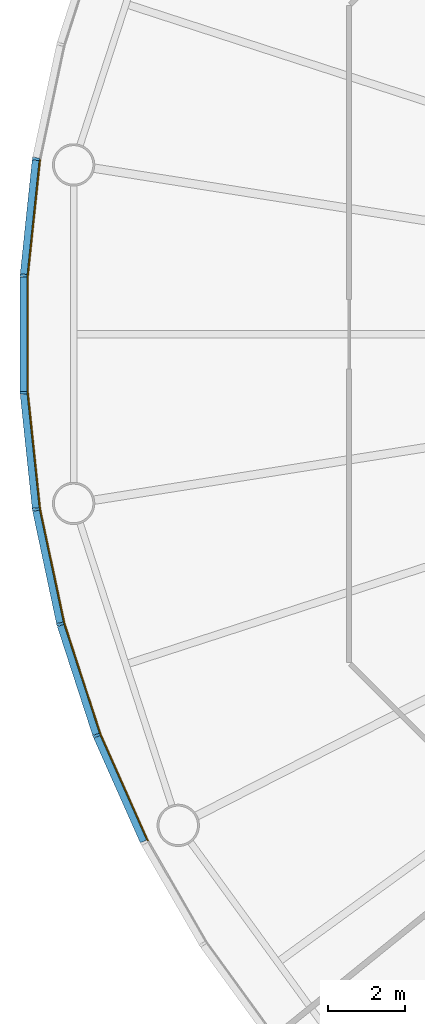
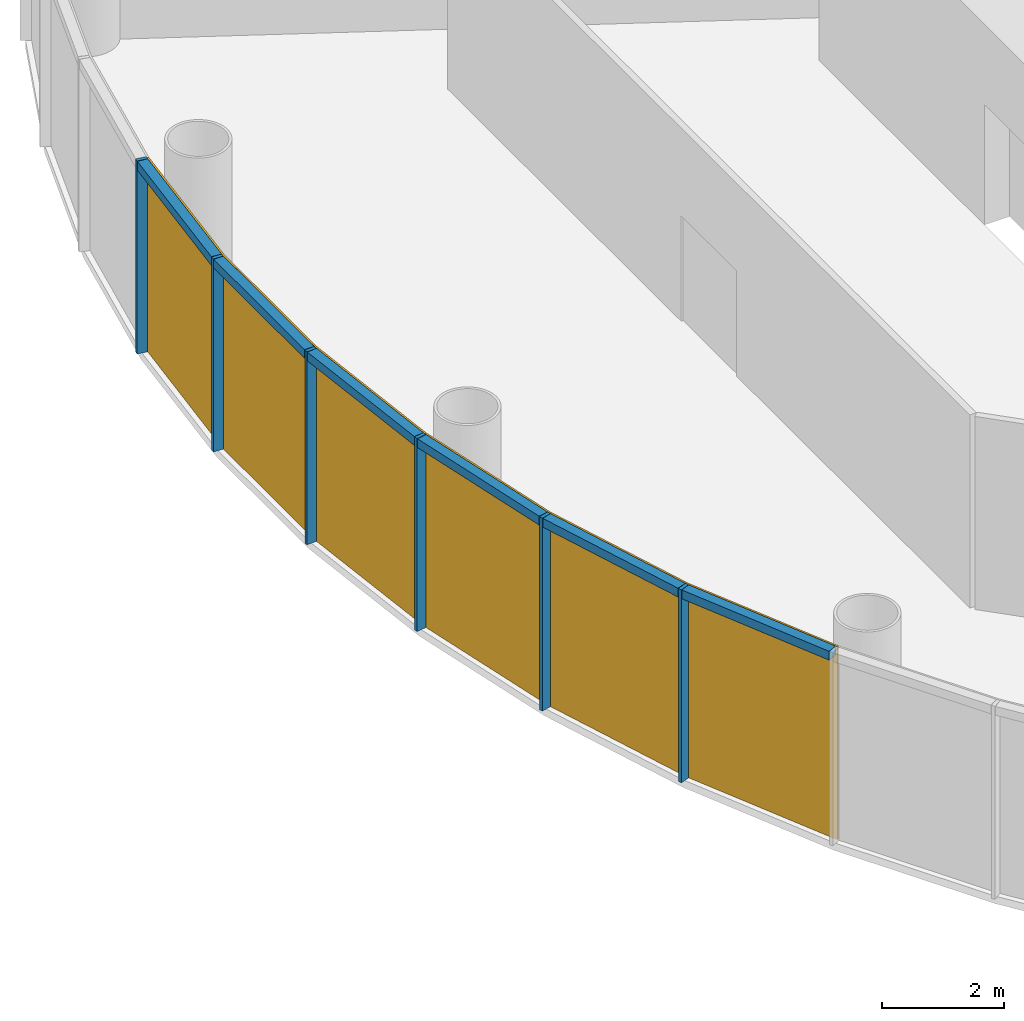
# One storey, part 7 of 12: 12 members, 2 curtain walls.
"""IFC4 building model written with IfcOpenShell, lengths in metres."""

import ifcopenshell
import ifcopenshell.guid

model = None  # the IFC model being written
_history = None  # IfcOwnerHistory: only IFC2X3 demands one
_inside = {}  # id of a spatial element -> (the spatial element, [elements in it])
_under = {}  # id of a project, library or spatial element -> (it, [spatial elements below it])
_declared = {}  # id of a project -> (the project, [libraries it declares])
_typed = {}  # id of a type object -> (the type object, [elements of that type])
_made_of = {}  # id of a material, layer set ... -> (it, [elements and type objects made of it])


def new_model(schema):
    """Start an empty IFC model of exactly this schema.

    Asked for "IFC4X3", IfcOpenShell would pick the latest addendum, in which some entities
    have other attributes; the version numbers below select the first issue.
    IFC2X3 requires an IfcOwnerHistory on every rooted entity: one is made here for all.
    """
    global model, _history
    if schema == "IFC4X3":
        model = ifcopenshell.file(schema_version=(4, 3, 0, 0))
    else:
        model = ifcopenshell.file(schema=schema)
    _inside.clear()
    _under.clear()
    _declared.clear()
    _typed.clear()
    _made_of.clear()
    _history = None
    if model.schema == "IFC2X3":
        org = make("IfcOrganization", Name="unknown")
        user = make(
            "IfcPersonAndOrganization",
            ThePerson=make("IfcPerson", FamilyName="unknown"),
            TheOrganization=org,
        )
        app = make(
            "IfcApplication",
            ApplicationDeveloper=org,
            Version="unknown",
            ApplicationFullName="unknown",
            ApplicationIdentifier="unknown",
        )
        _history = make(
            "IfcOwnerHistory",
            OwningUser=user,
            OwningApplication=app,
            ChangeAction="ADDED",
            CreationDate=0,
        )
    return model


def make(cls, **values):
    """One entity of the class cls with the attributes given. An attribute that is None is left unset."""
    return model.create_entity(
        cls, **{name: value for name, value in values.items() if value is not None}
    )


def rooted(cls, **values):
    """An entity with a GlobalId (a new one), such as an element, a storey or a relation."""
    return make(cls, GlobalId=ifcopenshell.guid.new(), OwnerHistory=_history, **values)


def si_unit(unit_type, name, prefix=None):
    """IfcSIUnit, for example si_unit("LENGTHUNIT", "METRE", prefix="MILLI")."""
    return make("IfcSIUnit", UnitType=unit_type, Prefix=prefix, Name=name)


def assignment(units):
    """IfcUnitAssignment: the units of a project."""
    return None if units is None else make("IfcUnitAssignment", Units=units)


def point(xyz):
    """IfcCartesianPoint."""
    return None if xyz is None else make("IfcCartesianPoint", Coordinates=xyz)


def direction(xyz):
    """IfcDirection."""
    return None if xyz is None else make("IfcDirection", DirectionRatios=xyz)


def frame(location, z_axis=None, x_axis=None):
    """IfcAxis2Placement3D, a coordinate frame: its origin and axes. An axis left out is left unset."""
    return make(
        "IfcAxis2Placement3D",
        Location=point(location),
        Axis=direction(z_axis),
        RefDirection=direction(x_axis),
    )


def frame_2d(location, x_axis=None):
    """IfcAxis2Placement2D, a coordinate frame in the plane: its origin and x axis."""
    return make(
        "IfcAxis2Placement2D", Location=point(location), RefDirection=direction(x_axis)
    )


def origin():
    """The frame at (0, 0, 0) with its axes left unset."""
    return frame((0.0, 0.0, 0.0))


def origin_2d():
    """The frame at (0, 0) in the plane with its x axis left unset."""
    return frame_2d((0.0, 0.0))


def place(relative_to, where):
    """IfcLocalPlacement: puts the frame where relative to a parent placement (None: the world)."""
    return make(
        "IfcLocalPlacement", PlacementRelTo=relative_to, RelativePlacement=where
    )


def context(
    kind, dimensions, precision=None, world=None, true_north=None, identifier=None
):
    """IfcGeometricRepresentationContext, for example the 3D "Model" context."""
    return make(
        "IfcGeometricRepresentationContext",
        ContextIdentifier=identifier,
        ContextType=kind,
        CoordinateSpaceDimension=dimensions,
        Precision=precision,
        WorldCoordinateSystem=world,
        TrueNorth=true_north,
    )


def subcontext(parent, identifier, kind, view, scale=None):
    """IfcGeometricRepresentationSubContext, for example "Body" below "Model"."""
    return make(
        "IfcGeometricRepresentationSubContext",
        ContextIdentifier=identifier,
        ContextType=kind,
        ParentContext=parent,
        TargetScale=scale,
        TargetView=view,
    )


def project(units=None, contexts=None):
    """IfcProject with its units and contexts."""
    return rooted(
        "IfcProject",
        Name="project",
        RepresentationContexts=contexts,
        UnitsInContext=assignment(units),
    )


def spatial(cls, under=None, at=None, **own):
    """A site, building, storey or space (cls), placed at a placement, below another one or the project."""
    s = rooted(cls, ObjectPlacement=at, **own)
    if under is not None:
        _under.setdefault(under.id(), (under, []))[1].append(s)
    return s


def polyline(points):
    """IfcPolyline through the points."""
    return make("IfcPolyline", Points=[point(p) for p in points])


def profile(cls, at=None, kind="AREA", **sizes):
    """A parametric profile (cls). Its sizes go by their IFC names, for example OverallWidth=200.0."""
    return make(cls, ProfileType=kind, Position=at, **sizes)


def rectangle(**sizes):
    """IfcRectangleProfileDef."""
    return profile("IfcRectangleProfileDef", **sizes)


def outline(outer, holes=None, kind="AREA"):
    """IfcArbitraryClosedProfileDef: a profile drawn as a closed curve; with holes, ...WithVoids."""
    if holes is None:
        return make("IfcArbitraryClosedProfileDef", ProfileType=kind, OuterCurve=outer)
    return make(
        "IfcArbitraryProfileDefWithVoids",
        ProfileType=kind,
        OuterCurve=outer,
        InnerCurves=holes,
    )


def extrude(swept, where, along, depth):
    """IfcExtrudedAreaSolid: the profile swept, set in the frame where, extruded along a direction by depth."""
    return make(
        "IfcExtrudedAreaSolid",
        SweptArea=swept,
        Position=where,
        ExtrudedDirection=direction(along),
        Depth=depth,
    )


def shape(context_of_items, identifier, shape_type, items):
    """IfcShapeRepresentation: the items that make up one representation, for example the "Body"."""
    return make(
        "IfcShapeRepresentation",
        ContextOfItems=context_of_items,
        RepresentationIdentifier=identifier,
        RepresentationType=shape_type,
        Items=items,
    )


def material(Name=None, Category=None):
    """IfcMaterial."""
    return make("IfcMaterial", Name=Name, Category=Category)


def layer(
    of_material, thickness, ventilated=None, Name=None, Category=None, Priority=None
):
    """IfcMaterialLayer: one layer of a wall or slab, of a material (None: an air gap)."""
    return make(
        "IfcMaterialLayer",
        Material=of_material,
        LayerThickness=thickness,
        IsVentilated=ventilated,
        Name=Name,
        Category=Category,
        Priority=Priority,
    )


def layer_set(layers, Name=None):
    """IfcMaterialLayerSet."""
    return make("IfcMaterialLayerSet", MaterialLayers=layers, LayerSetName=Name)


def material_profile(
    of_material, cross_section, Name=None, Category=None, Priority=None
):
    """IfcMaterialProfile: a cross section and its material."""
    return make(
        "IfcMaterialProfile",
        Name=Name,
        Material=of_material,
        Profile=cross_section,
        Priority=Priority,
        Category=Category,
    )


def profile_set(profiles, Name=None, composite=None):
    """IfcMaterialProfileSet."""
    return make(
        "IfcMaterialProfileSet",
        Name=Name,
        MaterialProfiles=profiles,
        CompositeProfile=composite,
    )


def made_of(thing, what):
    """Note that an element or type object is made of a material, layer set ...; save() writes the relation."""
    if what is not None:
        _made_of.setdefault(what.id(), (what, []))[1].append(thing)
    return thing


def type_object(cls, material=None, **own):
    """A type object (cls), such as IfcWallType, which elements share."""
    return made_of(rooted(cls, **own), material)


def element(
    cls,
    number,
    at=None,
    inside=None,
    cuts=None,
    type_object=None,
    material=None,
    context=None,
    identifier="Body",
    shape_type=None,
    held_by="IfcProductDefinitionShape",
    body=None,
    shapes=None,
    **own,
):
    """One element of the class cls, such as IfcWall. Its Tag is "e" and its number.

    at: its placement. inside: the storey or other place that contains it. cuts: it is an
    opening in that element (IfcRelVoidsElement). A single representation is given by context,
    identifier, shape_type and body (its items); several are given by shapes. held_by: the class
    of the entity that holds the representations. save() writes the other relations.
    """
    e = rooted(cls, Tag="e%d" % number, ObjectPlacement=at, **own)
    if body is not None:
        shapes = [shape(context, identifier, shape_type, body)]
    if shapes is not None:
        e.Representation = make(held_by, Representations=shapes)
    if inside is not None:
        _inside.setdefault(inside.id(), (inside, []))[1].append(e)
    if cuts is not None:
        rooted(
            "IfcRelVoidsElement", RelatingBuildingElement=cuts, RelatedOpeningElement=e
        )
    if type_object is not None:
        _typed.setdefault(type_object.id(), (type_object, []))[1].append(e)
    return made_of(e, material)


def aggregate(whole, parts):
    """IfcRelAggregates: a whole, such as a stair, and the parts it consists of."""
    return rooted("IfcRelAggregates", RelatingObject=whole, RelatedObjects=parts)


def save(model, path):
    """Write the relations noted so far, then the file.

    IfcRelAggregates (storeys below a building ...), IfcRelContainedInSpatialStructure (elements
    in a storey), IfcRelDefinesByType, IfcRelAssociatesMaterial and IfcRelDeclares: one each for
    every whole, place, type object, material and project.
    """
    for whole, parts in _under.values():
        aggregate(whole, parts)
    for where, things in _inside.values():
        rooted(
            "IfcRelContainedInSpatialStructure",
            RelatedElements=things,
            RelatingStructure=where,
        )
    for kind, things in _typed.values():
        rooted("IfcRelDefinesByType", RelatedObjects=things, RelatingType=kind)
    for what, things in _made_of.values():
        rooted("IfcRelAssociatesMaterial", RelatedObjects=things, RelatingMaterial=what)
    for by, libraries in _declared.values():
        rooted("IfcRelDeclares", RelatingContext=by, RelatedDefinitions=libraries)
    model.write(path)


model = new_model("IFC4")

# Units and contexts
model_context = context("Model", 3, precision=1e-05, world=origin(), true_north=direction((0.0, 1.0)))
body_context = subcontext(model_context, "Body", "Model", "MODEL_VIEW")
ifc_project = project(units=[si_unit("LENGTHUNIT", "METRE"), si_unit("AREAUNIT", "SQUARE_METRE"), si_unit("VOLUMEUNIT", "CUBIC_METRE"), si_unit("PLANEANGLEUNIT", "RADIAN"), si_unit("MASSUNIT", "GRAM", prefix="KILO")], contexts=[model_context])

# Member
ifc_material_1 = material(Name="Anodised aluminium", Category="aluminium")
ifc_material_profile_1 = material_profile(ifc_material_1, rectangle(XDim=0.06494140625, YDim=0.18505859375, at=origin_2d()), Name="Mullion 65 x 185 mm anodised aluminium")
ifc_profile_set_1 = profile_set([ifc_material_profile_1], Name="Anodised aluminium")
member_type_1 = type_object("IfcMemberType", Name="Mullion 65 x 185 mm anodised aluminium", PredefinedType="MULLION", material=ifc_profile_set_1)
site_placement = place(None, origin())
building_placement = place(site_placement, origin())
storey_placement = place(building_placement, frame((0.0, 0.0, 192.0)))
member_1_placement = place(storey_placement, frame((61.265625, 84.551025390625, 0.0), z_axis=(0.0, 0.0, 1.0), x_axis=(-0.15643446504, -0.987688340595, 0.0)))
member_1 = element("IfcMember", 1, at=member_1_placement, type_object=member_type_1, Name="MULLION L44-27", PredefinedType="MULLION", context=body_context, shape_type="SweptSolid", body=[
    extrude(rectangle(XDim=0.06494140625, YDim=0.18505859375, at=origin_2d()), origin(), (0.0, 0.0, 1.0), 3.85009765625),
])

member_2_placement = place(storey_placement, frame((60.947265625, 81.522705078125, 0.0), z_axis=(0.0, 0.0, 1.0), x_axis=(-0.052335956243, -0.998629534755, 0.0)))
member_2 = element("IfcMember", 2, at=member_2_placement, type_object=member_type_1, Name="MULLION L44-28", PredefinedType="MULLION", context=body_context, shape_type="SweptSolid", body=[
    extrude(rectangle(XDim=0.06494140625, YDim=0.18505859375, at=origin_2d()), origin(), (0.0, 0.0, 1.0), 3.85009765625),
])

member_3_placement = place(storey_placement, frame((60.947265625, 78.477294921875, 0.0), z_axis=(0.0, 0.0, 1.0), x_axis=(0.052335956243, -0.998629534755, 0.0)))
member_3 = element("IfcMember", 3, at=member_3_placement, type_object=member_type_1, Name="MULLION L44-29", PredefinedType="MULLION", context=body_context, shape_type="SweptSolid", body=[
    extrude(rectangle(XDim=0.06494140625, YDim=0.18505859375, at=origin_2d()), origin(), (0.0, 0.0, 1.0), 3.85009765625),
])

member_4_placement = place(storey_placement, frame((61.265625, 75.448974609375, 0.0), z_axis=(0.0, 0.0, 1.0), x_axis=(0.15643446504, -0.987688340595, 0.0)))
member_4 = element("IfcMember", 4, at=member_4_placement, type_object=member_type_1, Name="MULLION L44-30", PredefinedType="MULLION", context=body_context, shape_type="SweptSolid", body=[
    extrude(rectangle(XDim=0.06494140625, YDim=0.18505859375, at=origin_2d()), origin(), (0.0, 0.0, 1.0), 3.85009765625),
])

member_5_placement = place(storey_placement, frame((61.898681640625, 72.47021484375, 0.0), z_axis=(0.0, 0.0, 1.0), x_axis=(0.258819045103, -0.965925826289, 0.0)))
member_5 = element("IfcMember", 5, at=member_5_placement, type_object=member_type_1, Name="MULLION L44-31", PredefinedType="MULLION", context=body_context, shape_type="SweptSolid", body=[
    extrude(rectangle(XDim=0.06494140625, YDim=0.18505859375, at=origin_2d()), origin(), (0.0, 0.0, 1.0), 3.85009765625),
])

member_6_placement = place(storey_placement, frame((62.83984375, 69.57421875, 0.0), z_axis=(0.0, 0.0, 1.0), x_axis=(0.358367949545, -0.933580426497, 0.0)))
member_6 = element("IfcMember", 6, at=member_6_placement, type_object=member_type_1, Name="MULLION L44-32", PredefinedType="MULLION", context=body_context, shape_type="SweptSolid", body=[
    extrude(rectangle(XDim=0.06494140625, YDim=0.18505859375, at=origin_2d()), origin(), (0.0, 0.0, 1.0), 3.85009765625),
])

ifc_material_2 = material(Name="Anodised aluminium", Category="aluminium")
ifc_material_profile_2 = material_profile(ifc_material_2, rectangle(XDim=0.18505859375, YDim=0.175048828125, at=origin_2d()), Name="Transom 175 x 185 mm anodised aluminium")
ifc_profile_set_2 = profile_set([ifc_material_profile_2], Name="Anodised aluminium")
member_type_2 = type_object("IfcMemberType", Name="Transom 175 x 185 mm anodised aluminium", PredefinedType="USERDEFINED", material=ifc_profile_set_2)
member_7_placement = place(storey_placement, frame((61.26171875, 84.513916015625, 3.762451171875), z_axis=(-0.104547872381, -0.994519855197, 0.0), x_axis=(0.994519855197, -0.104547872381, 0.0)))
member_7 = element("IfcMember", 7, at=member_7_placement, type_object=member_type_2, Name="TRANSOM L44-27", ObjectType="TRANSOM", PredefinedType="USERDEFINED", context=body_context, shape_type="SweptSolid", body=[
    extrude(rectangle(XDim=0.18505859375, YDim=0.175048828125, at=origin_2d()), origin(), (0.0, 0.0, 1.0), 2.970458984375),
])

member_8_placement = place(storey_placement, frame((60.947265625, 81.4853515625, 3.762451171875), z_axis=(0.0, -1.0, 0.0), x_axis=(1.0, 0.0, 0.0)))
member_8 = element("IfcMember", 8, at=member_8_placement, type_object=member_type_2, Name="TRANSOM L44-28", ObjectType="TRANSOM", PredefinedType="USERDEFINED", context=body_context, shape_type="SweptSolid", body=[
    extrude(rectangle(XDim=0.18505859375, YDim=0.175048828125, at=origin_2d()), origin(), (0.0, 0.0, 1.0), 2.970703125),
])

member_9_placement = place(storey_placement, frame((60.951171875, 78.440185546875, 3.762451171875), z_axis=(0.104547872381, -0.994519855197, 0.0), x_axis=(0.994519855197, 0.104547872381, 0.0)))
member_9 = element("IfcMember", 9, at=member_9_placement, type_object=member_type_2, Name="TRANSOM L44-29", ObjectType="TRANSOM", PredefinedType="USERDEFINED", context=body_context, shape_type="SweptSolid", body=[
    extrude(rectangle(XDim=0.18505859375, YDim=0.175048828125, at=origin_2d()), origin(), (0.0, 0.0, 1.0), 2.970458984375),
])

member_10_placement = place(storey_placement, frame((61.2734375, 75.412353515625, 3.762451171875), z_axis=(0.207861704825, -0.97815822425, 0.0), x_axis=(0.97815822425, 0.207861704825, 0.0)))
member_10 = element("IfcMember", 10, at=member_10_placement, type_object=member_type_2, Name="TRANSOM L44-30", ObjectType="TRANSOM", PredefinedType="USERDEFINED", context=body_context, shape_type="SweptSolid", body=[
    extrude(rectangle(XDim=0.18505859375, YDim=0.175048828125, at=origin_2d()), origin(), (0.0, 0.0, 1.0), 2.970458984375),
])

member_11_placement = place(storey_placement, frame((61.91015625, 72.434814453125, 3.762451171875), z_axis=(0.30901917063, -0.951055809184, 0.0), x_axis=(0.951055809184, 0.30901917063, 0.0)))
member_11 = element("IfcMember", 11, at=member_11_placement, type_object=member_type_2, Name="TRANSOM L44-31", ObjectType="TRANSOM", PredefinedType="USERDEFINED", context=body_context, shape_type="SweptSolid", body=[
    extrude(rectangle(XDim=0.18505859375, YDim=0.175048828125, at=origin_2d()), origin(), (0.0, 0.0, 1.0), 2.970703125),
])

member_12_placement = place(storey_placement, frame((62.85498046875, 69.5400390625, 3.762451171875), z_axis=(0.406687471156, -0.913567348806, 0.0), x_axis=(0.913567348806, 0.406687471156, 0.0)))
member_12 = element("IfcMember", 12, at=member_12_placement, type_object=member_type_2, Name="TRANSOM L44-32", ObjectType="TRANSOM", PredefinedType="USERDEFINED", context=body_context, shape_type="SweptSolid", body=[
    extrude(rectangle(XDim=0.18505859375, YDim=0.175048828125, at=origin_2d()), origin(), (0.0, 0.0, 1.0), 2.970458984375),
])

# Site, building, storey
site = spatial("IfcSite", under=ifc_project, at=site_placement, CompositionType="ELEMENT")
building = spatial("IfcBuilding", under=site, at=building_placement, Name="Entoto Ring Tower", CompositionType="ELEMENT")
storey = spatial("IfcBuildingStorey", under=building, at=storey_placement, Name="L44", CompositionType="ELEMENT", Elevation=192.0)

# Curtain wall
ifc_material_3 = material(Name="Clear low-iron glass", Category="glass")
ifc_layer = layer(ifc_material_3, 0.033935546875)
ifc_layer_set = layer_set([ifc_layer], Name="Clear low-iron glass")
curtain_wall_type = type_object("IfcCurtainWallType", Name="Curtain wall system CW3 glazing 34 mm", PredefinedType="NOTDEFINED", material=ifc_layer_set)
curtain_wall_1_placement = place(storey_placement, origin())
curtain_wall_1 = element("IfcCurtainWall", 13, at=curtain_wall_1_placement, inside=storey, type_object=curtain_wall_type, Name="CW3 L44-10", PredefinedType="NOTDEFINED", context=body_context, shape_type="SweptSolid", body=[
    extrude(outline(polyline([(61.35693359375, 84.53662109375), (61.039794921875, 81.517822265625), (61.039794921875, 78.482177734375), (61.35693359375, 75.46337890625), (61.390625, 75.46875), (61.07373046875, 78.484130859375), (61.07373046875, 81.515869140625), (61.390625, 84.53125), (61.35693359375, 84.53662109375)])), origin(), (0.0, 0.0, 1.0), 3.85009765625),
])

aggregate(curtain_wall_1, [member_1, member_2, member_3, member_7, member_8, member_9])

curtain_wall_2_placement = place(storey_placement, origin())
curtain_wall_2 = element("IfcCurtainWall", 14, at=curtain_wall_2_placement, inside=storey, type_object=curtain_wall_type, Name="CW3 L44-11", PredefinedType="NOTDEFINED", context=body_context, shape_type="SweptSolid", body=[
    extrude(outline(polyline([(61.35693359375, 75.46337890625), (61.988037109375, 72.494140625), (62.92626953125, 69.607421875), (64.160888671875, 66.834228515625), (64.191162109375, 66.849853515625), (62.9580078125, 69.61962890625), (62.02099609375, 72.503173828125), (61.390625, 75.46875), (61.35693359375, 75.46337890625)])), origin(), (0.0, 0.0, 1.0), 3.85009765625),
])

aggregate(curtain_wall_2, [member_4, member_5, member_6, member_10, member_11, member_12])

save(model, "model.ifc")
